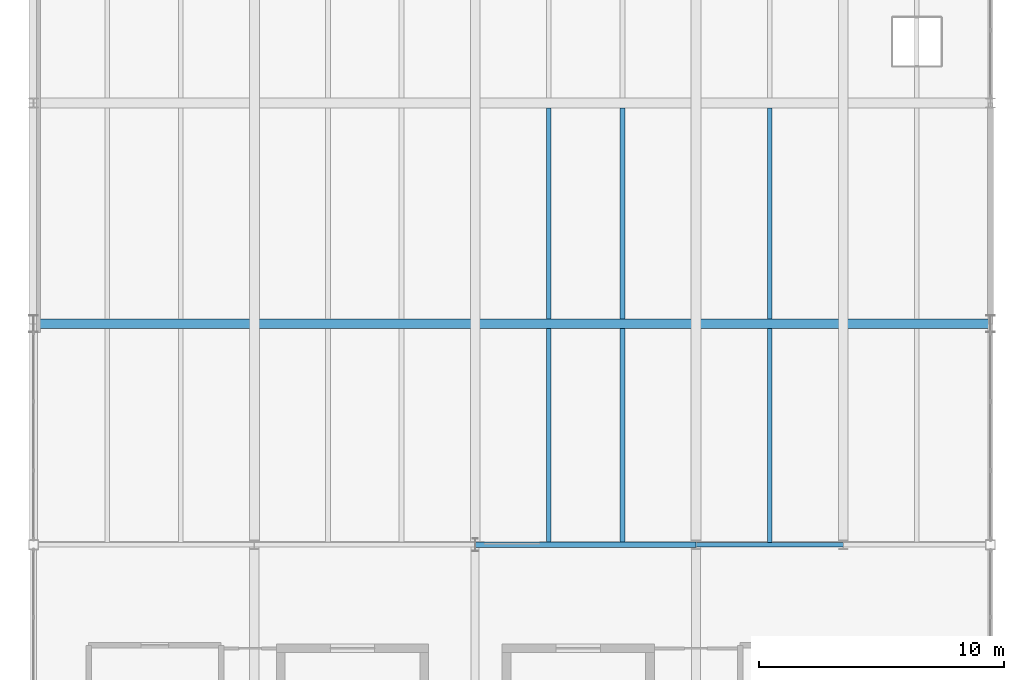
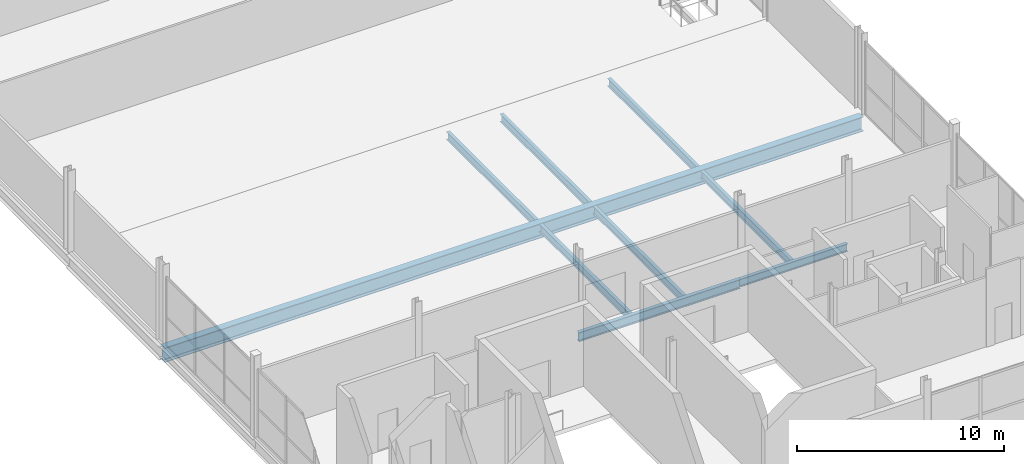
# One storey, part 9 of 29: 9 beams.
"""IFC4 building model written with IfcOpenShell, lengths in metres."""

from ifc_helpers import new_model, si_unit, direction, frame, origin, origin_2d, place, context, subcontext, project, spatial, i_section, extrude, material, material_profile, profile_set, type_object, element, save


model = new_model("IFC4")

# Units and contexts
model_context = context("Model", 3, precision=1e-05, world=origin(), true_north=direction((0.0, 1.0)))
body_context = subcontext(model_context, "Body", "Model", "MODEL_VIEW")
ifc_project = project(units=[si_unit("LENGTHUNIT", "METRE"), si_unit("AREAUNIT", "SQUARE_METRE"), si_unit("VOLUMEUNIT", "CUBIC_METRE"), si_unit("PLANEANGLEUNIT", "RADIAN"), si_unit("MASSUNIT", "GRAM", prefix="KILO")], contexts=[model_context])

# Site, building, storey
site_placement = place(None, origin())
site = spatial("IfcSite", under=ifc_project, at=site_placement, CompositionType="ELEMENT")
building_placement = place(site_placement, origin())
building = spatial("IfcBuilding", under=site, at=building_placement, Name="Qamarlyn Nura Convention Centre", CompositionType="ELEMENT")
storey_placement = place(building_placement, frame((0.0, 0.0, 25.199951171875)))
storey = spatial("IfcBuildingStorey", under=building, at=storey_placement, Name="L05", CompositionType="ELEMENT", Elevation=25.199951171875)

# Beams
ifc_material = material(Name="Steel ASTM A992", Category="steel")
ifc_material_profile_1 = material_profile(ifc_material, i_section(OverallWidth=0.39990234375, OverallDepth=0.85498046875, WebThickness=0.018310546875, FlangeThickness=0.029296875, FilletRadius=0.02197265625, at=origin_2d()), Name="W840X299")
ifc_profile_set_1 = profile_set([ifc_material_profile_1], Name="Steel ASTM A992")
beam_type_1 = type_object("IfcBeamType", Name="BM-GIRD-840", PredefinedType="BEAM", material=ifc_profile_set_1)
beam_1_placement = place(storey_placement, frame((153.0, 27.0, -0.66748046875), z_axis=(1.0, 0.0, 0.0), x_axis=(0.0, 1.0, 0.0)))
element("IfcBeam", 1, at=beam_1_placement, inside=storey, type_object=beam_type_1, Name="L05 girder D 13-18", PredefinedType="BEAM", context=body_context, shape_type="SweptSolid", body=[
    extrude(i_section(OverallWidth=0.39990234375, OverallDepth=0.85498046875, WebThickness=0.018310546875, FlangeThickness=0.029296875, FilletRadius=0.02197265625, at=origin_2d()), origin(), (0.0, 0.0, 1.0), 39.0),
])
ifc_material_profile_2 = material_profile(ifc_material, i_section(OverallWidth=0.18994140625, OverallDepth=0.45703125, WebThickness=0.009033203125, FlangeThickness=0.014404296875, FilletRadius=0.012939453125, at=origin_2d()), Name="W460X74")
ifc_profile_set_2 = profile_set([ifc_material_profile_2], Name="Steel ASTM A992")
beam_type_2 = type_object("IfcBeamType", Name="BM-JOIST-460", PredefinedType="JOIST", material=ifc_profile_set_2)
for number, where, z_axis, x_axis, name in (
    (2, (174.0, 18.10546875, -0.468505859375), (0.0, 1.0, 0.0), (-1.0, 0.0, 0.0), "L05 secondary joist 15-16/C-D-17"),
    (3, (177.0, 18.10546875, -0.468505859375), (0.0, 1.0, 0.0), (-1.0, 0.0, 0.0), "L05 secondary joist 15-16/C-D-18"),
):
    element("IfcBeam", number, at=place(storey_placement, frame(where, z_axis=z_axis, x_axis=x_axis)), inside=storey, type_object=beam_type_2, Name=name, PredefinedType="JOIST", context=body_context, shape_type="SweptSolid", body=[
        extrude(i_section(OverallWidth=0.18994140625, OverallDepth=0.45703125, WebThickness=0.009033203125, FlangeThickness=0.014404296875, FilletRadius=0.012939453125, at=origin_2d()), origin(), (0.0, 0.0, 1.0), 8.694580078125),
    ])
for number, where, z_axis, x_axis, name in (
    (4, (174.0, 27.199951171875, -0.468505859375), (0.0, 1.0, 0.0), (-1.0, 0.0, 0.0), "L05 secondary joist 15-16/D-E-19"),
    (5, (177.0, 27.199951171875, -0.468505859375), (0.0, 1.0, 0.0), (-1.0, 0.0, 0.0), "L05 secondary joist 15-16/D-E-20"),
):
    element("IfcBeam", number, at=place(storey_placement, frame(where, z_axis=z_axis, x_axis=x_axis)), inside=storey, type_object=beam_type_2, Name=name, PredefinedType="JOIST", context=body_context, shape_type="SweptSolid", body=[
        extrude(i_section(OverallWidth=0.18994140625, OverallDepth=0.45703125, WebThickness=0.009033203125, FlangeThickness=0.014404296875, FilletRadius=0.012939453125, at=origin_2d()), origin(), (0.0, 0.0, 1.0), 8.60009765625),
    ])
beam_2_placement = place(storey_placement, frame((183.0, 18.096435546875, -0.468505859375), z_axis=(0.0, 1.0, 0.0), x_axis=(-1.0, 0.0, 0.0)))
element("IfcBeam", 6, at=beam_2_placement, inside=storey, type_object=beam_type_2, Name="L05 secondary joist 16-17/C-D-29", PredefinedType="JOIST", context=body_context, shape_type="SweptSolid", body=[
    extrude(i_section(OverallWidth=0.18994140625, OverallDepth=0.45703125, WebThickness=0.009033203125, FlangeThickness=0.014404296875, FilletRadius=0.012939453125, at=origin_2d()), origin(), (0.0, 0.0, 1.0), 8.70361328125),
])
beam_3_placement = place(storey_placement, frame((183.0, 27.199951171875, -0.468505859375), z_axis=(0.0, 1.0, 0.0), x_axis=(-1.0, 0.0, 0.0)))
element("IfcBeam", 7, at=beam_3_placement, inside=storey, type_object=beam_type_2, Name="L05 secondary joist 16-17/D-E-30", PredefinedType="JOIST", context=body_context, shape_type="SweptSolid", body=[
    extrude(i_section(OverallWidth=0.18994140625, OverallDepth=0.45703125, WebThickness=0.009033203125, FlangeThickness=0.014404296875, FilletRadius=0.012939453125, at=origin_2d()), origin(), (0.0, 0.0, 1.0), 8.60009765625),
])
ifc_material_profile_3 = material_profile(ifc_material, i_section(OverallWidth=0.193115234375, OverallDepth=0.466064453125, WebThickness=0.011474609375, FlangeThickness=0.01904296875, FilletRadius=0.012939453125, at=origin_2d()), Name="W460X97")
ifc_profile_set_3 = profile_set([ifc_material_profile_3], Name="Steel ASTM A992")
beam_type_3 = type_object("IfcBeamType", Name="BM-SPAN-460", PredefinedType="SPANDREL", material=ifc_profile_set_3)
beam_4_placement = place(storey_placement, frame((180.0, 18.0, -0.472900390625), z_axis=(1.0, 0.0, 0.0), x_axis=(0.0, 1.0, 0.0)))
element("IfcBeam", 8, at=beam_4_placement, inside=storey, type_object=beam_type_3, Name="L05 girder C 16-17", PredefinedType="SPANDREL", context=body_context, shape_type="SweptSolid", body=[
    extrude(i_section(OverallWidth=0.193115234375, OverallDepth=0.466064453125, WebThickness=0.011474609375, FlangeThickness=0.01904296875, FilletRadius=0.012939453125, at=origin_2d()), origin(), (0.0, 0.0, 1.0), 6.0),
])
ifc_material_profile_4 = material_profile(ifc_material, i_section(OverallWidth=0.2109375, OverallDepth=0.5390625, WebThickness=0.01171875, FlangeThickness=0.018798828125, FilletRadius=0.013916015625, at=origin_2d()), Name="W530X109")
ifc_profile_set_4 = profile_set([ifc_material_profile_4], Name="Steel ASTM A992")
beam_type_4 = type_object("IfcBeamType", Name="BM-SPAN-530", PredefinedType="SPANDREL", material=ifc_profile_set_4)
beam_5_placement = place(storey_placement, frame((171.0, 18.0, -0.509521484375), z_axis=(1.0, 0.0, 0.0), x_axis=(0.0, 1.0, 0.0)))
element("IfcBeam", 9, at=beam_5_placement, inside=storey, type_object=beam_type_4, Name="L05 girder C 15-16", PredefinedType="SPANDREL", context=body_context, shape_type="SweptSolid", body=[
    extrude(i_section(OverallWidth=0.2109375, OverallDepth=0.5390625, WebThickness=0.01171875, FlangeThickness=0.018798828125, FilletRadius=0.013916015625, at=origin_2d()), origin(), (0.0, 0.0, 1.0), 9.0),
])

save(model, "model.ifc")
